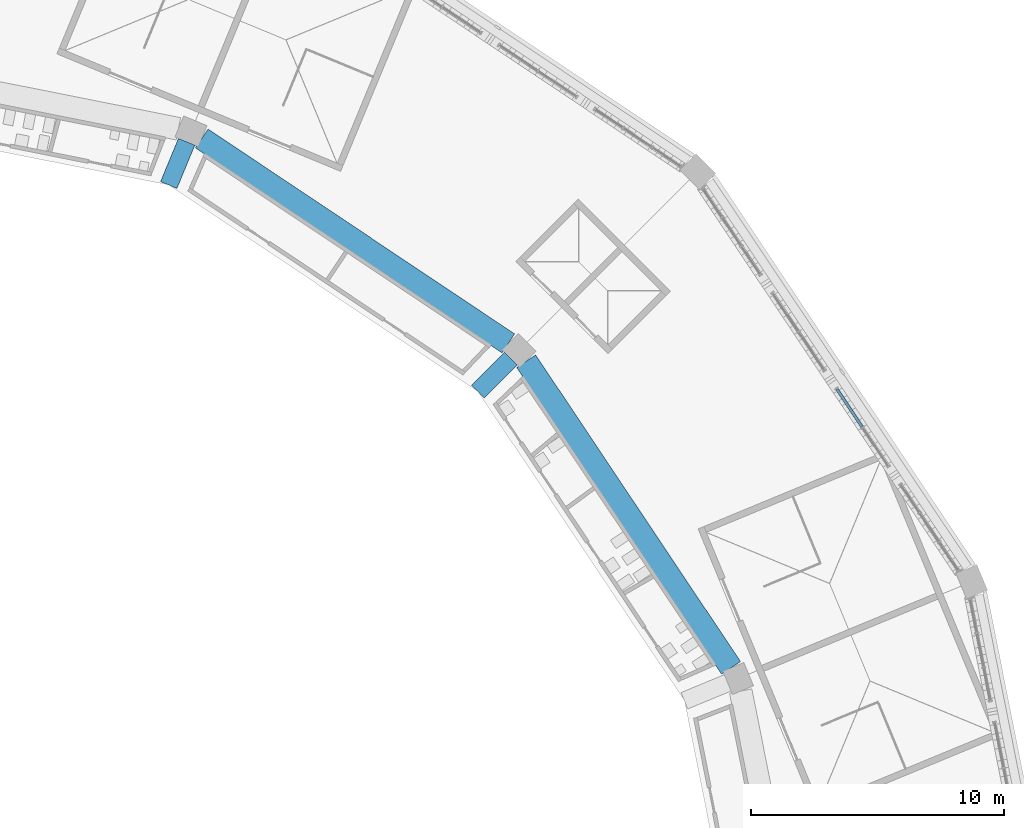
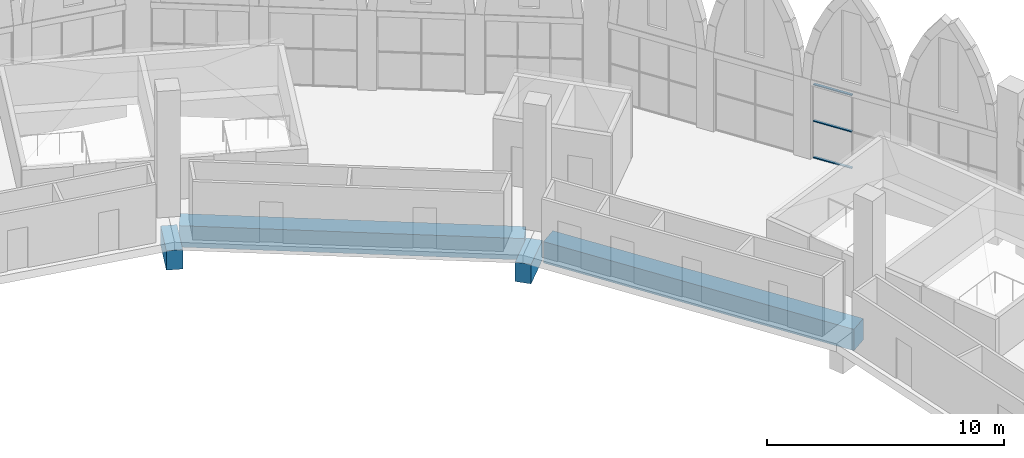
# One storey, part 43 of 130: 4 beams, 3 members, 1 element without a shape of its own.
"""IFC4 building model written with IfcOpenShell, lengths in metres."""

from ifc_helpers import new_model, si_unit, direction, frame, origin, origin_2d, place, context, subcontext, project, spatial, rectangle, extrude, material, material_profile, profile_set, type_object, element, aggregate, save


model = new_model("IFC4")

# Units and contexts
model_context = context("Model", 3, precision=1e-05, world=origin(), true_north=direction((0.0, 1.0)))
body_context = subcontext(model_context, "Body", "Model", "MODEL_VIEW")
ifc_project = project(units=[si_unit("LENGTHUNIT", "METRE"), si_unit("AREAUNIT", "SQUARE_METRE"), si_unit("VOLUMEUNIT", "CUBIC_METRE"), si_unit("PLANEANGLEUNIT", "RADIAN"), si_unit("MASSUNIT", "GRAM", prefix="KILO")], contexts=[model_context])

# Site, building, storey
site_placement = place(None, origin())
site = spatial("IfcSite", under=ifc_project, at=site_placement, CompositionType="ELEMENT")
building_placement = place(site_placement, origin())
building = spatial("IfcBuilding", under=site, at=building_placement, Name="Ogive Plaza Stadium", CompositionType="ELEMENT")
storey_placement = place(building_placement, frame((0.0, 0.0, 22.5)))
storey = spatial("IfcBuildingStorey", under=building, at=storey_placement, Name="L05", CompositionType="ELEMENT", Elevation=22.5)

# Curtain wall, members
ifc_material_1 = material(Name="Bronze-anodised aluminium with laminated glass", Category="aluminium")
curtain_wall_type = type_object("IfcCurtainWallType", Name="Lancet curtain wall", PredefinedType="NOTDEFINED", material=ifc_material_1)
curtain_wall_placement = place(storey_placement, origin())
curtain_wall = element("IfcCurtainWall", 1, at=curtain_wall_placement, inside=storey, type_object=curtain_wall_type, Name="CURTAIN WALL B39 L05", PredefinedType="NOTDEFINED")
ifc_material_2 = material(Name="Bronze-anodised aluminium", Category="aluminium")
ifc_material_profile_1 = material_profile(ifc_material_2, rectangle(XDim=0.1201171875, YDim=0.050048828125, at=origin_2d()), Name="AL 120x50")
ifc_profile_set_1 = profile_set([ifc_material_profile_1], Name="Bronze-anodised aluminium")
member_type = type_object("IfcMemberType", Name="Curtain wall transom 50x120", PredefinedType="USERDEFINED", material=ifc_profile_set_1)
member_1_placement = place(storey_placement, frame((74.8583984375, 79.259521484375, 0.02490234375), z_axis=(0.555574613559, -0.831466685303, 0.0), x_axis=(0.831466685303, 0.555574613559, 0.0)))
member_1 = element("IfcMember", 2, at=member_1_placement, type_object=member_type, Name="CW-B39-L05.3 transom 1.1", ObjectType="TRANSOM", PredefinedType="USERDEFINED", context=body_context, shape_type="SweptSolid", body=[
    extrude(rectangle(XDim=0.1201171875, YDim=0.050048828125, at=origin_2d()), origin(), (0.0, 0.0, 1.0), 1.803466796875),
])
member_2_placement = place(storey_placement, frame((74.8583984375, 79.259521484375, 1.89990234375), z_axis=(0.555574613559, -0.831466685303, 0.0), x_axis=(0.831466685303, 0.555574613559, 0.0)))
member_2 = element("IfcMember", 3, at=member_2_placement, type_object=member_type, Name="CW-B39-L05.3 transom 1.2", ObjectType="TRANSOM", PredefinedType="USERDEFINED", context=body_context, shape_type="SweptSolid", body=[
    extrude(rectangle(XDim=0.1201171875, YDim=0.050048828125, at=origin_2d()), origin(), (0.0, 0.0, 1.0), 1.803466796875),
])
member_3_placement = place(storey_placement, frame((74.8583984375, 79.259521484375, 3.77490234375), z_axis=(0.555574613559, -0.831466685303, 0.0), x_axis=(0.831466685303, 0.555574613559, 0.0)))
member_3 = element("IfcMember", 4, at=member_3_placement, type_object=member_type, Name="CW-B39-L05.3 transom 1.3", ObjectType="TRANSOM", PredefinedType="USERDEFINED", context=body_context, shape_type="SweptSolid", body=[
    extrude(rectangle(XDim=0.1201171875, YDim=0.050048828125, at=origin_2d()), origin(), (0.0, 0.0, 1.0), 1.803466796875),
])
aggregate(curtain_wall, [member_1, member_2, member_3])

# Beams
ifc_material_3 = material(Name="Concrete C40/50", Category="concrete")
ifc_material_profile_2 = material_profile(ifc_material_3, rectangle(XDim=0.699951171875, YDim=1.0, at=origin_2d()), Name="RC 700x1000")
ifc_profile_set_2 = profile_set([ifc_material_profile_2], Name="Concrete C40/50")
beam_type_1 = type_object("IfcBeamType", Name="RC radial beam 700x1000", PredefinedType="BEAM", material=ifc_profile_set_2)
for number, where, z_axis, x_axis, name in (
    (5, (48.42724609375, 87.330322265625, -0.909912109375), (0.382581020213, 0.923921946364, 0.0), (-0.923921946364, 0.382581020213, 0.0), "Raker tail beam UT R38"),
    (6, (60.657958984375, 79.157958984375, -0.909912109375), (0.707106781187, 0.707106781187, 0.0), (-0.707106781187, 0.707106781187, 0.0), "Raker tail beam UT R39"),
):
    element("IfcBeam", number, at=place(storey_placement, frame(where, z_axis=z_axis, x_axis=x_axis)), inside=storey, type_object=beam_type_1, Name=name, PredefinedType="BEAM", context=body_context, shape_type="SweptSolid", body=[
        extrude(rectangle(XDim=0.699951171875, YDim=1.0, at=origin_2d()), origin(), (0.0, 0.0, 1.0), 1.849853515625),
    ])
ifc_material_4 = material(Name="Concrete C40/50", Category="concrete")
ifc_material_profile_3 = material_profile(ifc_material_4, rectangle(XDim=0.89990234375, YDim=1.10009765625, at=origin_2d()), Name="RC 900x1100")
ifc_profile_set_3 = profile_set([ifc_material_profile_3], Name="Concrete C40/50")
beam_type_2 = type_object("IfcBeamType", Name="RC ring beam 900x1100", PredefinedType="BEAM", material=ifc_profile_set_3)
for number, where, z_axis, x_axis, name in (
    (7, (49.731201171875, 89.171875, -0.9599609375), (0.831467933961, -0.555572744827, 0.0), (0.555572744827, 0.831467933961, 0.0), "Ring beam F4 L05 B38"),
    (8, (62.5673828125, 80.3603515625, -0.9599609375), (0.555572744827, -0.831467933961, 0.0), (0.831467933961, 0.555572744827, 0.0), "Ring beam F4 L05 B39"),
):
    element("IfcBeam", number, at=place(storey_placement, frame(where, z_axis=z_axis, x_axis=x_axis)), inside=storey, type_object=beam_type_2, Name=name, PredefinedType="BEAM", context=body_context, shape_type="SweptSolid", body=[
        extrude(rectangle(XDim=0.89990234375, YDim=1.10009765625, at=origin_2d()), origin(), (0.0, 0.0, 1.0), 14.587646484375),
    ])

save(model, "model.ifc")
